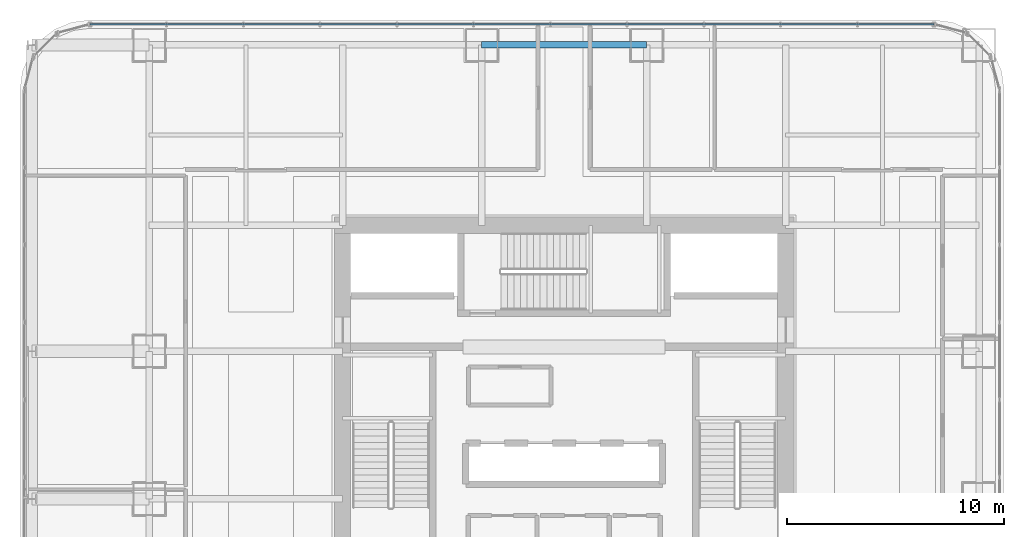
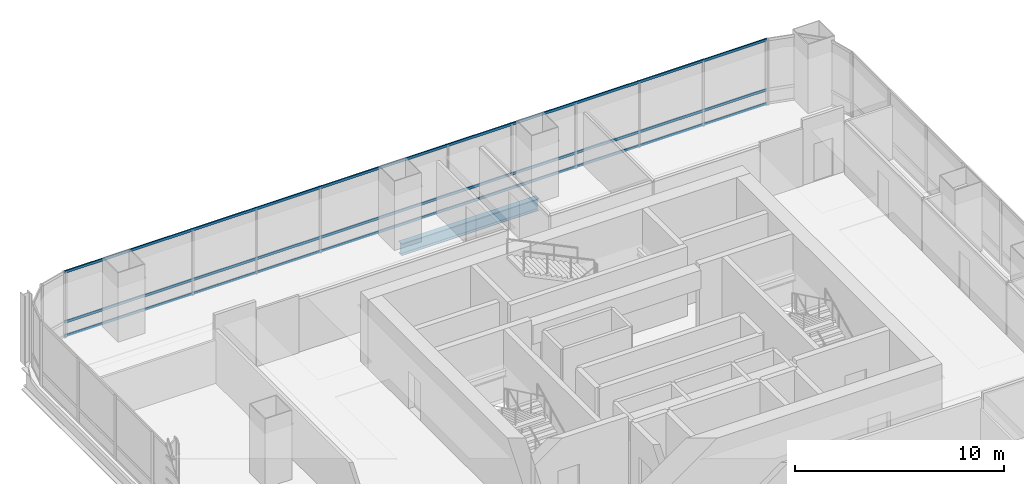
# One storey, part 22 of 36: 3 members, 1 beam, 1 element without a shape of its own.
"""IFC4 building model written with IfcOpenShell, lengths in metres."""

from ifc_helpers import new_model, si_unit, direction, frame, origin, origin_2d, place, context, subcontext, project, spatial, hollow_rectangle, i_section, extrude, material, material_profile, profile_set, type_object, element, aggregate, save


model = new_model("IFC4")

# Units and contexts
model_context = context("Model", 3, precision=1e-05, world=origin(), true_north=direction((0.0, 1.0)))
body_context = subcontext(model_context, "Body", "Model", "MODEL_VIEW")
ifc_project = project(units=[si_unit("LENGTHUNIT", "METRE"), si_unit("AREAUNIT", "SQUARE_METRE"), si_unit("VOLUMEUNIT", "CUBIC_METRE"), si_unit("PLANEANGLEUNIT", "RADIAN"), si_unit("MASSUNIT", "GRAM", prefix="KILO")], contexts=[model_context])

# Site, building, storey
site_placement = place(None, origin())
site = spatial("IfcSite", under=ifc_project, at=site_placement, CompositionType="ELEMENT")
building_placement = place(site_placement, origin())
building = spatial("IfcBuilding", under=site, at=building_placement, Name="Punatoya Terracotta Tower", CompositionType="ELEMENT")
storey_placement = place(building_placement, frame((0.0, 0.0, 32.25)))
storey = spatial("IfcBuildingStorey", under=building, at=storey_placement, Name="L06", CompositionType="ELEMENT", Elevation=32.25)

# Beam
ifc_material_1 = material(Name="Steel S355", Category="steel")
ifc_material_profile_1 = material_profile(ifc_material_1, i_section(OverallWidth=0.300048828125, OverallDepth=0.699951171875, WebThickness=0.01708984375, FlangeThickness=0.031982421875, FilletRadius=0.01806640625, at=origin_2d()))
ifc_profile_set_1 = profile_set([ifc_material_profile_1], Name="Steel S355")
beam_type = type_object("IfcBeamType", Name="BM-PRI-700", PredefinedType="BEAM", material=ifc_profile_set_1)
beam_placement = place(storey_placement, frame((-3.800048828125, 17.5, -0.590087890625), z_axis=(1.0, 0.0, 0.0), x_axis=(0.0, 1.0, 0.0)))
element("IfcBeam", 1, at=beam_placement, inside=storey, type_object=beam_type, Name="BM-L06-RG-N2", PredefinedType="BEAM", context=body_context, shape_type="SweptSolid", body=[
    extrude(i_section(OverallWidth=0.300048828125, OverallDepth=0.699951171875, WebThickness=0.01708984375, FlangeThickness=0.031982421875, FilletRadius=0.01806640625, at=origin_2d()), origin(), (0.0, 0.0, 1.0), 7.60009765625),
])

# Curtain wall, members
ifc_material_2 = material(Name="Aluminium 6063-T6 + Double Low-E Glass", Category="aluminium")
curtain_wall_type = type_object("IfcCurtainWallType", Name="CW-M1", PredefinedType="NOTDEFINED", material=ifc_material_2)
curtain_wall_placement = place(storey_placement, origin())
curtain_wall = element("IfcCurtainWall", 2, at=curtain_wall_placement, inside=storey, type_object=curtain_wall_type, Name="L06 Curtain Wall CW-L06-N09-1", PredefinedType="NOTDEFINED")
ifc_material_3 = material(Name="Aluminium 6063-T6", Category="aluminium")
ifc_material_profile_2 = material_profile(ifc_material_3, hollow_rectangle(XDim=0.068115234375, YDim=0.14990234375, WallThickness=0.00390625, at=origin_2d()))
ifc_profile_set_2 = profile_set([ifc_material_profile_2], Name="Aluminium 6063-T6")
member_type = type_object("IfcMemberType", Name="CW-TRN-TYP", PredefinedType="USERDEFINED", material=ifc_profile_set_2)
member_1_placement = place(storey_placement, frame((17.036865234375, 18.449951171875, 0.0400390625), z_axis=(-1.0, 0.0, 0.0), x_axis=(0.0, -1.0, 0.0)))
member_1 = element("IfcMember", 3, at=member_1_placement, type_object=member_type, Name="CW-L06-N09-1 Transom 1", ObjectType="TRANSOM", PredefinedType="USERDEFINED", context=body_context, shape_type="SweptSolid", body=[
    extrude(hollow_rectangle(XDim=0.068115234375, YDim=0.14990234375, WallThickness=0.00390625, at=origin_2d()), origin(), (0.0, 0.0, 1.0), 38.873779296875),
])
member_2_placement = place(storey_placement, frame((17.036865234375, 18.449951171875, 0.85009765625), z_axis=(-1.0, 0.0, 0.0), x_axis=(0.0, -1.0, 0.0)))
member_2 = element("IfcMember", 4, at=member_2_placement, type_object=member_type, Name="CW-L06-N09-1 Transom 2", ObjectType="TRANSOM", PredefinedType="USERDEFINED", context=body_context, shape_type="SweptSolid", body=[
    extrude(hollow_rectangle(XDim=0.068115234375, YDim=0.14990234375, WallThickness=0.00390625, at=origin_2d()), origin(), (0.0, 0.0, 1.0), 38.873779296875),
])
member_3_placement = place(storey_placement, frame((17.036865234375, 18.449951171875, 3.77001953125), z_axis=(-1.0, 0.0, 0.0), x_axis=(0.0, -1.0, 0.0)))
member_3 = element("IfcMember", 5, at=member_3_placement, type_object=member_type, Name="CW-L06-N09-1 Transom 3", ObjectType="TRANSOM", PredefinedType="USERDEFINED", context=body_context, shape_type="SweptSolid", body=[
    extrude(hollow_rectangle(XDim=0.068115234375, YDim=0.14990234375, WallThickness=0.00390625, at=origin_2d()), origin(), (0.0, 0.0, 1.0), 38.873779296875),
])
aggregate(curtain_wall, [member_1, member_2, member_3])

save(model, "model.ifc")
